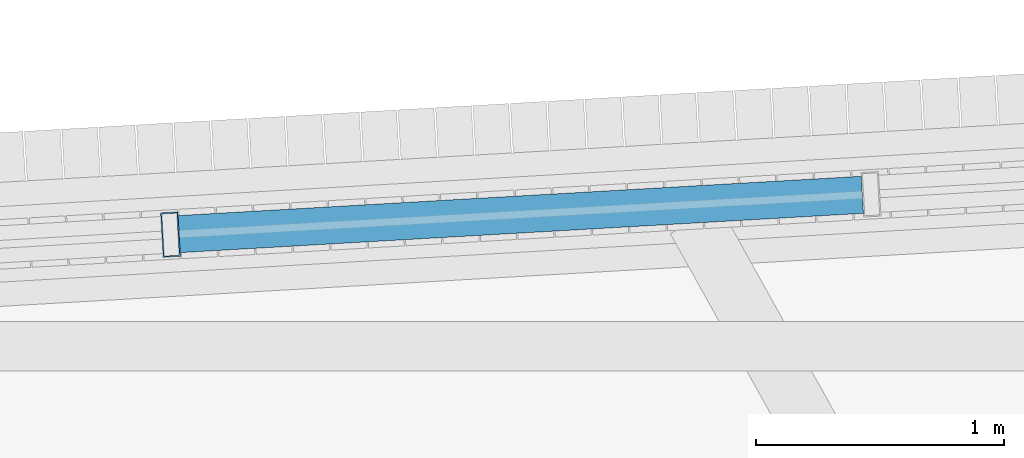
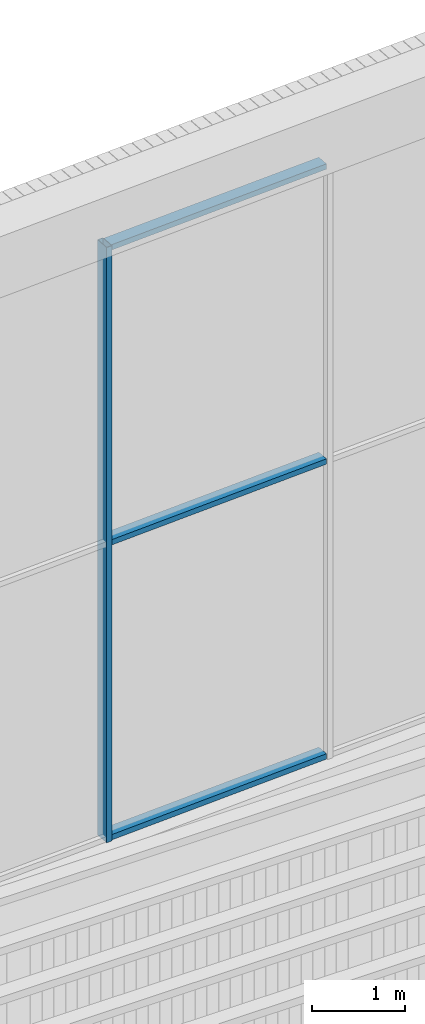
# One storey, part 53 of 117: 4 members, 1 element without a shape of its own.
"""IFC4 building model written with IfcOpenShell, lengths in metres."""

from ifc_helpers import new_model, si_unit, direction, frame, origin, origin_2d, place, context, subcontext, project, spatial, hollow_rectangle, extrude, material, layer, layer_set, material_profile, profile_set, type_object, element, aggregate, save


model = new_model("IFC4")

# Units and contexts
model_context = context("Model", 3, precision=1e-05, world=origin(), true_north=direction((0.0, 1.0)))
body_context = subcontext(model_context, "Body", "Model", "MODEL_VIEW")
ifc_project = project(units=[si_unit("LENGTHUNIT", "METRE"), si_unit("AREAUNIT", "SQUARE_METRE"), si_unit("VOLUMEUNIT", "CUBIC_METRE"), si_unit("PLANEANGLEUNIT", "RADIAN"), si_unit("MASSUNIT", "GRAM", prefix="KILO")], contexts=[model_context])

# Site, building, storey
site_placement = place(None, origin())
site = spatial("IfcSite", under=ifc_project, at=site_placement, CompositionType="ELEMENT")
building_placement = place(site_placement, origin())
building = spatial("IfcBuilding", under=site, at=building_placement, Name="Tarsis Ring Headquarters", CompositionType="ELEMENT")
storey_placement = place(building_placement, frame((0.0, 0.0, 403.60009765625)))
storey = spatial("IfcBuildingStorey", under=building, at=storey_placement, Name="L95", CompositionType="ELEMENT", Elevation=403.60009765625)

# Curtain wall, members
ifc_material_1 = material(Name="Aluminium curtain wall", Category="aluminium")
ifc_layer = layer(ifc_material_1, 0.179931640625)
ifc_layer_set = layer_set([ifc_layer], Name="Curtain wall crown glazing")
curtain_wall_type = type_object("IfcCurtainWallType", Name="Curtain wall crown glazing", PredefinedType="NOTDEFINED", material=ifc_layer_set)
curtain_wall_placement = place(storey_placement, origin())
curtain_wall = element("IfcCurtainWall", 1, at=curtain_wall_placement, inside=storey, type_object=curtain_wall_type, Name="Crown glazing U10", PredefinedType="NOTDEFINED")
ifc_material_2 = material(Name="Aluminium mullion", Category="aluminium")
ifc_material_profile_1 = material_profile(ifc_material_2, hollow_rectangle(XDim=0.179931640625, YDim=0.070068359375, WallThickness=0.0048828125, at=origin_2d()), Name="RHS 180x70x5")
ifc_profile_set_1 = profile_set([ifc_material_profile_1], Name="Aluminium mullion")
member_type_1 = type_object("IfcMemberType", Name="Crown glazing mullion RHS 180x70x5", PredefinedType="MULLION", material=ifc_profile_set_1)
member_1_placement = place(storey_placement, frame((-4.459228515625, 28.18603515625, 14.39990234375), z_axis=(0.0, 0.0, 1.0), x_axis=(0.057411549568, -0.998350596723, 0.0)))
member_1 = element("IfcMember", 2, at=member_1_placement, type_object=member_type_1, Name="CW-C mullion 4", PredefinedType="MULLION", context=body_context, shape_type="SweptSolid", body=[
    extrude(hollow_rectangle(XDim=0.179931640625, YDim=0.070068359375, WallThickness=0.0048828125, at=origin_2d()), origin(), (0.0, 0.0, 1.0), 7.800048828125),
])
ifc_material_3 = material(Name="Aluminium transom", Category="aluminium")
ifc_material_profile_2 = material_profile(ifc_material_3, hollow_rectangle(XDim=0.14990234375, YDim=0.070068359375, WallThickness=0.0048828125, at=origin_2d()), Name="RHS 150x70x5")
ifc_profile_set_2 = profile_set([ifc_material_profile_2], Name="Aluminium transom")
member_type_2 = type_object("IfcMemberType", Name="Crown glazing transom RHS 150x70x5", PredefinedType="USERDEFINED", material=ifc_profile_set_2)
member_2_placement = place(storey_placement, frame((-1.665283203125, 28.3466796875, 14.434814453125), z_axis=(-0.998349988218, -0.057422130107, 0.0), x_axis=(0.057422130107, -0.998349988218, 0.0)))
member_2 = element("IfcMember", 3, at=member_2_placement, type_object=member_type_2, Name="CW-C transom 3.1", ObjectType="TRANSOM", PredefinedType="USERDEFINED", context=body_context, shape_type="SweptSolid", body=[
    extrude(hollow_rectangle(XDim=0.14990234375, YDim=0.070068359375, WallThickness=0.0048828125, at=origin_2d()), origin(), (0.0, 0.0, 1.0), 2.763671875),
])
member_3_placement = place(storey_placement, frame((-1.665283203125, 28.3466796875, 18.2998046875), z_axis=(-0.998349988218, -0.057422130107, 0.0), x_axis=(0.057422130107, -0.998349988218, 0.0)))
member_3 = element("IfcMember", 4, at=member_3_placement, type_object=member_type_2, Name="CW-C transom 3.2", ObjectType="TRANSOM", PredefinedType="USERDEFINED", context=body_context, shape_type="SweptSolid", body=[
    extrude(hollow_rectangle(XDim=0.14990234375, YDim=0.070068359375, WallThickness=0.0048828125, at=origin_2d()), origin(), (0.0, 0.0, 1.0), 2.763671875),
])
member_4_placement = place(storey_placement, frame((-1.665283203125, 28.3466796875, 22.164794921875), z_axis=(-0.998349988218, -0.057422130107, 0.0), x_axis=(0.057422130107, -0.998349988218, 0.0)))
member_4 = element("IfcMember", 5, at=member_4_placement, type_object=member_type_2, Name="CW-C transom 3.3", ObjectType="TRANSOM", PredefinedType="USERDEFINED", context=body_context, shape_type="SweptSolid", body=[
    extrude(hollow_rectangle(XDim=0.14990234375, YDim=0.070068359375, WallThickness=0.0048828125, at=origin_2d()), origin(), (0.0, 0.0, 1.0), 2.763671875),
])
aggregate(curtain_wall, [member_1, member_2, member_3, member_4])

save(model, "model.ifc")
